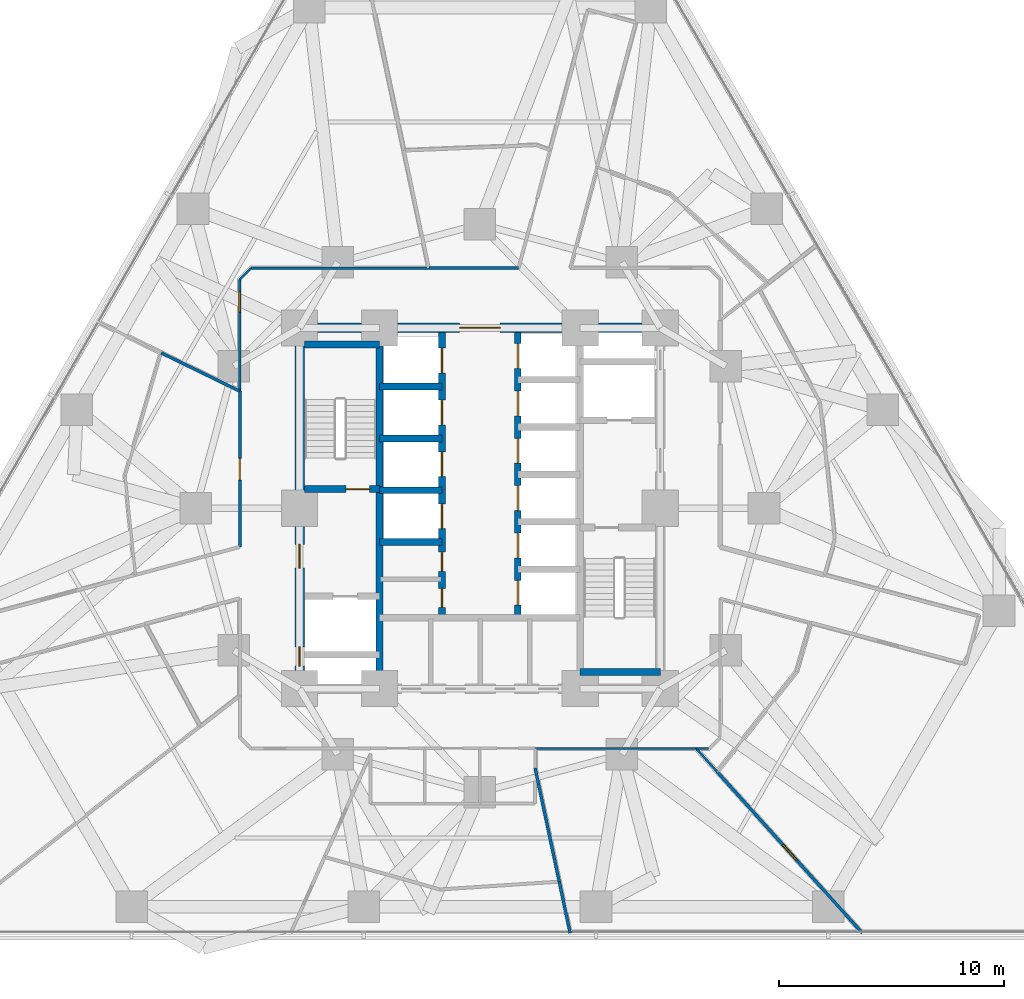
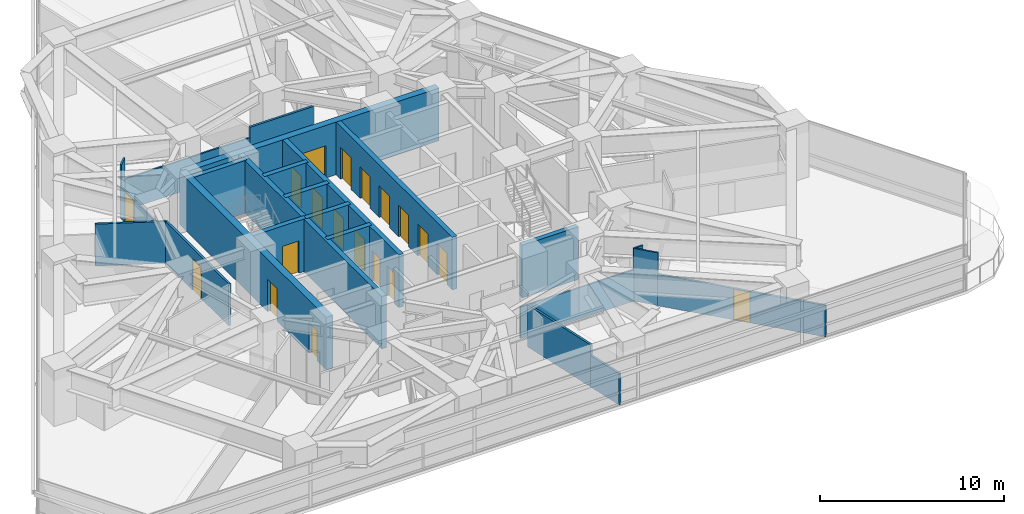
# One storey, part 9 of 15: 24 walls, 19 doors, 19 openings.
"""IFC4 building model written with IfcOpenShell, lengths in metres."""

from ifc_helpers import new_model, si_unit, direction, frame, frame_2d, origin, place, context, subcontext, project, spatial, rectangle, extrude, material, layer, layer_set, type_object, element, fill, save


model = new_model("IFC4")

# Units and contexts
model_context = context("Model", 3, precision=1e-05, world=origin(), true_north=direction((0.0, 1.0)))
body_context = subcontext(model_context, "Body", "Model", "MODEL_VIEW")
ifc_project = project(units=[si_unit("LENGTHUNIT", "METRE"), si_unit("AREAUNIT", "SQUARE_METRE"), si_unit("VOLUMEUNIT", "CUBIC_METRE"), si_unit("PLANEANGLEUNIT", "RADIAN"), si_unit("MASSUNIT", "GRAM", prefix="KILO")], contexts=[model_context])

# Site, building, storey
site_placement = place(None, origin())
site = spatial("IfcSite", under=ifc_project, at=site_placement, CompositionType="ELEMENT")
building_placement = place(site_placement, origin())
building = spatial("IfcBuilding", under=site, at=building_placement, Name="Terralouvre Media Tower", CompositionType="ELEMENT")
storey_placement = place(building_placement, frame((0.0, 0.0, 51.89990234375)))
storey = spatial("IfcBuildingStorey", under=building, at=storey_placement, Name="L12", CompositionType="ELEMENT", Elevation=51.89990234375)

# Wall
ifc_material_1 = material(Name="Concrete C50/60", Category="concrete")
ifc_layer_1 = layer(ifc_material_1, 0.300048828125, Name="Core Internal Shaft Wall CW-300")
ifc_layer_set_1 = layer_set([ifc_layer_1], Name="Concrete C50/60")
wall_type_1 = type_object("IfcWallType", Name="Core Internal Shaft Wall CW-300", PredefinedType="SHEAR", material=ifc_layer_set_1)
wall_1_placement = place(storey_placement, frame((-4.449951171875, -7.7900390625, 0.0), z_axis=(0.0, 0.0, 1.0), x_axis=(0.0, 1.0, 0.0)))
element("IfcWall", 1, at=wall_1_placement, inside=storey, type_object=wall_type_1, Name="L12 Core Shaft Wall SPW", PredefinedType="SHEAR", context=body_context, shape_type="SweptSolid", body=[
    extrude(rectangle(XDim=15.580078125, YDim=0.300048828125, at=frame_2d((7.7900390625, 0.0))), origin(), (0.0, 0.0, 1.0), 3.5),
])

# Wall, opening, door
wall_2_placement = place(storey_placement, frame((-7.7900390625, 0.85009765625, 0.0), z_axis=(0.0, 0.0, 1.0), x_axis=(1.0, 0.0, 0.0)))
wall_2 = element("IfcWall", 2, at=wall_2_placement, inside=storey, type_object=wall_type_1, Name="L12 Core Shaft Wall ST1D", PredefinedType="SHEAR", context=body_context, shape_type="SweptSolid", body=[
    extrude(rectangle(XDim=3.340087890625, YDim=0.300048828125, at=frame_2d((1.669921875, 0.0))), origin(), (0.0, 0.0, 1.0), 3.5),
])
opening_1_placement = place(wall_2_placement, frame((1.85009765625, 0.0, 0.0)))
opening_1 = element("IfcOpeningElement", 3, at=opening_1_placement, cuts=wall_2, Name="Opening FD-01-105X215", PredefinedType="OPENING", context=body_context, shape_type="SweptSolid", body=[
    extrude(rectangle(XDim=1.050048828125, YDim=2.14990234375, at=frame_2d((0.52490234375, 1.074951171875))), frame((0.0, 0.159912109375, 0.0), z_axis=(0.0, -1.0, 0.0), x_axis=(1.0, 0.0, 0.0)), (0.0, 0.0, 1.0), 0.320068359375),
])
ifc_material_2 = material(Name="Galvanised steel fire-resisting leaf", Category="steel")
door_type_1 = type_object("IfcDoorType", Name="Stair and Firefighting Lobby Fire Door FD-01 (1050x2150)", OperationType="NOTDEFINED", PredefinedType="DOOR", material=ifc_material_2)
door_1_placement = place(opening_1_placement, origin())
door_1 = element("IfcDoor", 4, at=door_1_placement, inside=storey, type_object=door_type_1, Name="L12 ST-01 Exit Stair Door", OperationType="SINGLE_SWING_LEFT", OverallHeight=2.14990234375, OverallWidth=1.050048828125, PredefinedType="DOOR", context=body_context, shape_type="SweptSolid", body=[
    extrude(rectangle(XDim=1.050048828125, YDim=2.14990234375, at=frame_2d((0.52490234375, 1.074951171875))), frame((0.0, 0.02490234375, 0.0), z_axis=(0.0, -1.0, 0.0), x_axis=(1.0, 0.0, 0.0)), (0.0, 0.0, 1.0), 0.050048828125),
])
fill(opening_1, door_1)

# Walls
wall_3_placement = place(storey_placement, frame((-7.7900390625, 7.260009765625, 0.0), z_axis=(0.0, 0.0, 1.0), x_axis=(1.0, 0.0, 0.0)))
element("IfcWall", 5, at=wall_3_placement, inside=storey, type_object=wall_type_1, Name="L12 Core Shaft Wall ST1F", PredefinedType="SHEAR", context=body_context, shape_type="SweptSolid", body=[
    extrude(rectangle(XDim=3.340087890625, YDim=0.300048828125, at=frame_2d((1.669921875, 0.0))), origin(), (0.0, 0.0, 1.0), 3.5),
])
wall_4_placement = place(storey_placement, frame((4.449951171875, -7.260009765625, 0.0), z_axis=(0.0, 0.0, 1.0), x_axis=(1.0, 0.0, 0.0)))
element("IfcWall", 6, at=wall_4_placement, inside=storey, type_object=wall_type_1, Name="L12 Core Shaft Wall ST2F", PredefinedType="SHEAR", context=body_context, shape_type="SweptSolid", body=[
    extrude(rectangle(XDim=3.550048828125, YDim=0.300048828125, at=frame_2d((1.77490234375, 0.0))), origin(), (0.0, 0.0, 1.0), 3.5),
])

# Wall, openings, doors
wall_5_placement = place(storey_placement, frame((-1.679931640625, -4.85009765625, 0.0), z_axis=(0.0, 0.0, 1.0), x_axis=(0.0, 1.0, 0.0)))
wall_5 = element("IfcWall", 7, at=wall_5_placement, inside=storey, type_object=wall_type_1, Name="L12 Core Shaft Wall LBW", PredefinedType="SHEAR", context=body_context, shape_type="SweptSolid", body=[
    extrude(rectangle(XDim=12.64013671875, YDim=0.300048828125, at=frame_2d((6.320068359375, 0.0))), origin(), (0.0, 0.0, 1.0), 3.5),
])
opening_2_placement = place(wall_5_placement, frame((3.949951171875, 0.0, 0.0)))
opening_2 = element("IfcOpeningElement", 8, at=opening_2_placement, cuts=wall_5, Name="Opening LD-PL", PredefinedType="OPENING", context=body_context, shape_type="SweptSolid", body=[
    extrude(rectangle(XDim=1.10009765625, YDim=2.10009765625, at=frame_2d((0.550048828125, 1.050048828125))), frame((0.0, 0.159912109375, 0.0), z_axis=(0.0, -1.0, 0.0), x_axis=(1.0, 0.0, 0.0)), (0.0, 0.0, 1.0), 0.320068359375),
])
opening_3_placement = place(wall_5_placement, frame((6.25, 0.0, 0.0)))
opening_3 = element("IfcOpeningElement", 9, at=opening_3_placement, cuts=wall_5, Name="Opening LD-PL", PredefinedType="OPENING", context=body_context, shape_type="SweptSolid", body=[
    extrude(rectangle(XDim=1.10009765625, YDim=2.10009765625, at=frame_2d((0.550048828125, 1.050048828125))), frame((0.0, 0.159912109375, 0.0), z_axis=(0.0, -1.0, 0.0), x_axis=(1.0, 0.0, 0.0)), (0.0, 0.0, 1.0), 0.320068359375),
])
opening_4_placement = place(wall_5_placement, frame((8.550048828125, 0.0, 0.0)))
opening_4 = element("IfcOpeningElement", 10, at=opening_4_placement, cuts=wall_5, Name="Opening LD-PL", PredefinedType="OPENING", context=body_context, shape_type="SweptSolid", body=[
    extrude(rectangle(XDim=1.10009765625, YDim=2.10009765625, at=frame_2d((0.550048828125, 1.050048828125))), frame((0.0, 0.159912109375, 0.0), z_axis=(0.0, -1.0, 0.0), x_axis=(1.0, 0.0, 0.0)), (0.0, 0.0, 1.0), 0.320068359375),
])
opening_5_placement = place(wall_5_placement, frame((10.85009765625, 0.0, 0.0)))
opening_5 = element("IfcOpeningElement", 11, at=opening_5_placement, cuts=wall_5, Name="Opening LD-PL", PredefinedType="OPENING", context=body_context, shape_type="SweptSolid", body=[
    extrude(rectangle(XDim=1.10009765625, YDim=2.10009765625, at=frame_2d((0.550048828125, 1.050048828125))), frame((0.0, 0.159912109375, 0.0), z_axis=(0.0, -1.0, 0.0), x_axis=(1.0, 0.0, 0.0)), (0.0, 0.0, 1.0), 0.320068359375),
])
opening_6_placement = place(wall_5_placement, frame((0.449951171875, 0.0, 0.0)))
opening_6 = element("IfcOpeningElement", 12, at=opening_6_placement, cuts=wall_5, Name="Opening TD-R1", PredefinedType="OPENING", context=body_context, shape_type="SweptSolid", body=[
    extrude(rectangle(XDim=0.85009765625, YDim=2.02001953125, at=frame_2d((0.425048828125, 1.010009765625))), frame((0.0, 0.159912109375, 0.0), z_axis=(0.0, -1.0, 0.0), x_axis=(1.0, 0.0, 0.0)), (0.0, 0.0, 1.0), 0.320068359375),
])
opening_7_placement = place(wall_5_placement, frame((2.050048828125, 0.0, 0.0)))
opening_7 = element("IfcOpeningElement", 13, at=opening_7_placement, cuts=wall_5, Name="Opening TD-R1", PredefinedType="OPENING", context=body_context, shape_type="SweptSolid", body=[
    extrude(rectangle(XDim=0.85009765625, YDim=2.02001953125, at=frame_2d((0.425048828125, 1.010009765625))), frame((0.0, 0.159912109375, 0.0), z_axis=(0.0, -1.0, 0.0), x_axis=(1.0, 0.0, 0.0)), (0.0, 0.0, 1.0), 0.320068359375),
])
ifc_material_3 = material(Name="Stainless steel 316 handrail and balustrade", Category="steel")
door_type_2 = type_object("IfcDoorType", Name="Passenger Lift Sliding Landing Door LD-PL", OperationType="SLIDING_TO_LEFT", PredefinedType="DOOR", material=ifc_material_3)
door_2_placement = place(opening_2_placement, origin())
door_2 = element("IfcDoor", 14, at=door_2_placement, inside=storey, type_object=door_type_2, Name="L12 Low-Rise Lift PL-L1 Landing Door", OperationType="SLIDING_TO_LEFT", OverallHeight=2.10009765625, OverallWidth=1.10009765625, PredefinedType="DOOR", context=body_context, shape_type="SweptSolid", body=[
    extrude(rectangle(XDim=1.10009765625, YDim=2.10009765625, at=frame_2d((0.550048828125, 1.050048828125))), frame((0.0, 0.02490234375, 0.0), z_axis=(0.0, -1.0, 0.0), x_axis=(1.0, 0.0, 0.0)), (0.0, 0.0, 1.0), 0.050048828125),
])
fill(opening_2, door_2)
door_3_placement = place(opening_3_placement, origin())
door_3 = element("IfcDoor", 15, at=door_3_placement, inside=storey, type_object=door_type_2, Name="L12 Low-Rise Lift PL-L2 Landing Door", OperationType="SLIDING_TO_LEFT", OverallHeight=2.10009765625, OverallWidth=1.10009765625, PredefinedType="DOOR", context=body_context, shape_type="SweptSolid", body=[
    extrude(rectangle(XDim=1.10009765625, YDim=2.10009765625, at=frame_2d((0.550048828125, 1.050048828125))), frame((0.0, 0.02490234375, 0.0), z_axis=(0.0, -1.0, 0.0), x_axis=(1.0, 0.0, 0.0)), (0.0, 0.0, 1.0), 0.050048828125),
])
fill(opening_3, door_3)
door_4_placement = place(opening_4_placement, origin())
door_4 = element("IfcDoor", 16, at=door_4_placement, inside=storey, type_object=door_type_2, Name="L12 Low-Rise Lift PL-L3 Landing Door", OperationType="SLIDING_TO_LEFT", OverallHeight=2.10009765625, OverallWidth=1.10009765625, PredefinedType="DOOR", context=body_context, shape_type="SweptSolid", body=[
    extrude(rectangle(XDim=1.10009765625, YDim=2.10009765625, at=frame_2d((0.550048828125, 1.050048828125))), frame((0.0, 0.02490234375, 0.0), z_axis=(0.0, -1.0, 0.0), x_axis=(1.0, 0.0, 0.0)), (0.0, 0.0, 1.0), 0.050048828125),
])
fill(opening_4, door_4)
door_5_placement = place(opening_5_placement, origin())
door_5 = element("IfcDoor", 17, at=door_5_placement, inside=storey, type_object=door_type_2, Name="L12 Low-Rise Lift PL-L4 Landing Door", OperationType="SLIDING_TO_LEFT", OverallHeight=2.10009765625, OverallWidth=1.10009765625, PredefinedType="DOOR", context=body_context, shape_type="SweptSolid", body=[
    extrude(rectangle(XDim=1.10009765625, YDim=2.10009765625, at=frame_2d((0.550048828125, 1.050048828125))), frame((0.0, 0.02490234375, 0.0), z_axis=(0.0, -1.0, 0.0), x_axis=(1.0, 0.0, 0.0)), (0.0, 0.0, 1.0), 0.050048828125),
])
fill(opening_5, door_5)
ifc_material_4 = material(Name="Galvanised steel fire-resisting leaf", Category="steel")
door_type_3 = type_object("IfcDoorType", Name="Riser Inspection Access Trapdoor TD-R1", OperationType="NOTDEFINED", PredefinedType="TRAPDOOR", material=ifc_material_4)
door_6_placement = place(opening_6_placement, origin())
door_6 = element("IfcDoor", 18, at=door_6_placement, inside=storey, type_object=door_type_3, Name="L12 Core Cleaners Closet Door", OperationType="SINGLE_SWING_LEFT", OverallHeight=2.02001953125, OverallWidth=0.85009765625, PredefinedType="TRAPDOOR", context=body_context, shape_type="SweptSolid", body=[
    extrude(rectangle(XDim=0.85009765625, YDim=2.02001953125, at=frame_2d((0.425048828125, 1.010009765625))), frame((0.0, 0.02490234375, 0.0), z_axis=(0.0, -1.0, 0.0), x_axis=(1.0, 0.0, 0.0)), (0.0, 0.0, 1.0), 0.050048828125),
])
fill(opening_6, door_6)
door_7_placement = place(opening_7_placement, origin())
door_7 = element("IfcDoor", 19, at=door_7_placement, inside=storey, type_object=door_type_3, Name="L12 Core Metering Closet Door", OperationType="SINGLE_SWING_RIGHT", OverallHeight=2.02001953125, OverallWidth=0.85009765625, PredefinedType="TRAPDOOR", context=body_context, shape_type="SweptSolid", body=[
    extrude(rectangle(XDim=0.85009765625, YDim=2.02001953125, at=frame_2d((0.425048828125, 1.010009765625))), frame((0.0, 0.02490234375, 0.0), z_axis=(0.0, -1.0, 0.0), x_axis=(1.0, 0.0, 0.0)), (0.0, 0.0, 1.0), 0.050048828125),
])
fill(opening_7, door_7)

wall_6_placement = place(storey_placement, frame((1.679931640625, -4.85009765625, 0.0), z_axis=(0.0, 0.0, 1.0), x_axis=(0.0, 1.0, 0.0)))
wall_6 = element("IfcWall", 20, at=wall_6_placement, inside=storey, type_object=wall_type_1, Name="L12 Core Shaft Wall LBE", PredefinedType="SHEAR", context=body_context, shape_type="SweptSolid", body=[
    extrude(rectangle(XDim=12.64013671875, YDim=0.300048828125, at=frame_2d((6.320068359375, 0.0))), origin(), (0.0, 0.0, 1.0), 3.5),
])
opening_8_placement = place(wall_6_placement, frame((0.550048828125, 0.0, 0.0)))
opening_8 = element("IfcOpeningElement", 21, at=opening_8_placement, cuts=wall_6, Name="Opening LD-PL", PredefinedType="OPENING", context=body_context, shape_type="SweptSolid", body=[
    extrude(rectangle(XDim=1.10009765625, YDim=2.10009765625, at=frame_2d((0.550048828125, 1.050048828125))), frame((0.0, 0.159912109375, 0.0), z_axis=(0.0, -1.0, 0.0), x_axis=(1.0, 0.0, 0.0)), (0.0, 0.0, 1.0), 0.320068359375),
])
opening_9_placement = place(wall_6_placement, frame((2.64990234375, 0.0, 0.0)))
opening_9 = element("IfcOpeningElement", 22, at=opening_9_placement, cuts=wall_6, Name="Opening LD-PL", PredefinedType="OPENING", context=body_context, shape_type="SweptSolid", body=[
    extrude(rectangle(XDim=1.10009765625, YDim=2.10009765625, at=frame_2d((0.550048828125, 1.050048828125))), frame((0.0, 0.159912109375, 0.0), z_axis=(0.0, -1.0, 0.0), x_axis=(1.0, 0.0, 0.0)), (0.0, 0.0, 1.0), 0.320068359375),
])
opening_10_placement = place(wall_6_placement, frame((4.75, 0.0, 0.0)))
opening_10 = element("IfcOpeningElement", 23, at=opening_10_placement, cuts=wall_6, Name="Opening LD-PL", PredefinedType="OPENING", context=body_context, shape_type="SweptSolid", body=[
    extrude(rectangle(XDim=1.10009765625, YDim=2.10009765625, at=frame_2d((0.550048828125, 1.050048828125))), frame((0.0, 0.159912109375, 0.0), z_axis=(0.0, -1.0, 0.0), x_axis=(1.0, 0.0, 0.0)), (0.0, 0.0, 1.0), 0.320068359375),
])
opening_11_placement = place(wall_6_placement, frame((6.85009765625, 0.0, 0.0)))
opening_11 = element("IfcOpeningElement", 24, at=opening_11_placement, cuts=wall_6, Name="Opening LD-PL", PredefinedType="OPENING", context=body_context, shape_type="SweptSolid", body=[
    extrude(rectangle(XDim=1.10009765625, YDim=2.10009765625, at=frame_2d((0.550048828125, 1.050048828125))), frame((0.0, 0.159912109375, 0.0), z_axis=(0.0, -1.0, 0.0), x_axis=(1.0, 0.0, 0.0)), (0.0, 0.0, 1.0), 0.320068359375),
])
opening_12_placement = place(wall_6_placement, frame((8.949951171875, 0.0, 0.0)))
opening_12 = element("IfcOpeningElement", 25, at=opening_12_placement, cuts=wall_6, Name="Opening LD-PL", PredefinedType="OPENING", context=body_context, shape_type="SweptSolid", body=[
    extrude(rectangle(XDim=1.10009765625, YDim=2.10009765625, at=frame_2d((0.550048828125, 1.050048828125))), frame((0.0, 0.159912109375, 0.0), z_axis=(0.0, -1.0, 0.0), x_axis=(1.0, 0.0, 0.0)), (0.0, 0.0, 1.0), 0.320068359375),
])
opening_13_placement = place(wall_6_placement, frame((11.050048828125, 0.0, 0.0)))
opening_13 = element("IfcOpeningElement", 26, at=opening_13_placement, cuts=wall_6, Name="Opening LD-PL", PredefinedType="OPENING", context=body_context, shape_type="SweptSolid", body=[
    extrude(rectangle(XDim=1.10009765625, YDim=2.10009765625, at=frame_2d((0.550048828125, 1.050048828125))), frame((0.0, 0.159912109375, 0.0), z_axis=(0.0, -1.0, 0.0), x_axis=(1.0, 0.0, 0.0)), (0.0, 0.0, 1.0), 0.320068359375),
])
door_8_placement = place(opening_8_placement, origin())
door_8 = element("IfcDoor", 27, at=door_8_placement, inside=storey, type_object=door_type_2, Name="L12 High-Rise Lift PL-H1 Landing Door", OperationType="SLIDING_TO_LEFT", OverallHeight=2.10009765625, OverallWidth=1.10009765625, PredefinedType="DOOR", context=body_context, shape_type="SweptSolid", body=[
    extrude(rectangle(XDim=1.10009765625, YDim=2.10009765625, at=frame_2d((0.550048828125, 1.050048828125))), frame((0.0, 0.02490234375, 0.0), z_axis=(0.0, -1.0, 0.0), x_axis=(1.0, 0.0, 0.0)), (0.0, 0.0, 1.0), 0.050048828125),
])
fill(opening_8, door_8)
door_9_placement = place(opening_9_placement, origin())
door_9 = element("IfcDoor", 28, at=door_9_placement, inside=storey, type_object=door_type_2, Name="L12 High-Rise Lift PL-H2 Landing Door", OperationType="SLIDING_TO_LEFT", OverallHeight=2.10009765625, OverallWidth=1.10009765625, PredefinedType="DOOR", context=body_context, shape_type="SweptSolid", body=[
    extrude(rectangle(XDim=1.10009765625, YDim=2.10009765625, at=frame_2d((0.550048828125, 1.050048828125))), frame((0.0, 0.02490234375, 0.0), z_axis=(0.0, -1.0, 0.0), x_axis=(1.0, 0.0, 0.0)), (0.0, 0.0, 1.0), 0.050048828125),
])
fill(opening_9, door_9)
door_10_placement = place(opening_10_placement, origin())
door_10 = element("IfcDoor", 29, at=door_10_placement, inside=storey, type_object=door_type_2, Name="L12 High-Rise Lift PL-H3 Landing Door", OperationType="SLIDING_TO_LEFT", OverallHeight=2.10009765625, OverallWidth=1.10009765625, PredefinedType="DOOR", context=body_context, shape_type="SweptSolid", body=[
    extrude(rectangle(XDim=1.10009765625, YDim=2.10009765625, at=frame_2d((0.550048828125, 1.050048828125))), frame((0.0, 0.02490234375, 0.0), z_axis=(0.0, -1.0, 0.0), x_axis=(1.0, 0.0, 0.0)), (0.0, 0.0, 1.0), 0.050048828125),
])
fill(opening_10, door_10)
door_11_placement = place(opening_11_placement, origin())
door_11 = element("IfcDoor", 30, at=door_11_placement, inside=storey, type_object=door_type_2, Name="L12 Mid-Rise Lift PL-M1 Landing Door", OperationType="SLIDING_TO_LEFT", OverallHeight=2.10009765625, OverallWidth=1.10009765625, PredefinedType="DOOR", context=body_context, shape_type="SweptSolid", body=[
    extrude(rectangle(XDim=1.10009765625, YDim=2.10009765625, at=frame_2d((0.550048828125, 1.050048828125))), frame((0.0, 0.02490234375, 0.0), z_axis=(0.0, -1.0, 0.0), x_axis=(1.0, 0.0, 0.0)), (0.0, 0.0, 1.0), 0.050048828125),
])
fill(opening_11, door_11)
door_12_placement = place(opening_12_placement, origin())
door_12 = element("IfcDoor", 31, at=door_12_placement, inside=storey, type_object=door_type_2, Name="L12 Mid-Rise Lift PL-M2 Landing Door", OperationType="SLIDING_TO_LEFT", OverallHeight=2.10009765625, OverallWidth=1.10009765625, PredefinedType="DOOR", context=body_context, shape_type="SweptSolid", body=[
    extrude(rectangle(XDim=1.10009765625, YDim=2.10009765625, at=frame_2d((0.550048828125, 1.050048828125))), frame((0.0, 0.02490234375, 0.0), z_axis=(0.0, -1.0, 0.0), x_axis=(1.0, 0.0, 0.0)), (0.0, 0.0, 1.0), 0.050048828125),
])
fill(opening_12, door_12)
door_13_placement = place(opening_13_placement, origin())
door_13 = element("IfcDoor", 32, at=door_13_placement, inside=storey, type_object=door_type_2, Name="L12 Mid-Rise Lift PL-M3 Landing Door", OperationType="SLIDING_TO_LEFT", OverallHeight=2.10009765625, OverallWidth=1.10009765625, PredefinedType="DOOR", context=body_context, shape_type="SweptSolid", body=[
    extrude(rectangle(XDim=1.10009765625, YDim=2.10009765625, at=frame_2d((0.550048828125, 1.050048828125))), frame((0.0, 0.02490234375, 0.0), z_axis=(0.0, -1.0, 0.0), x_axis=(1.0, 0.0, 0.0)), (0.0, 0.0, 1.0), 0.050048828125),
])
fill(opening_13, door_13)

# Walls
for number, where, z_axis, x_axis, name in (
    (33, (-4.449951171875, -1.5, 0.0), (0.0, 0.0, 1.0), (1.0, 0.0, 0.0), "L12 Core Shaft Wall PLLD0"),
    (34, (-4.449951171875, 0.800048828125, 0.0), (0.0, 0.0, 1.0), (1.0, 0.0, 0.0), "L12 Core Shaft Wall PLLD1"),
    (35, (-4.449951171875, 3.10009765625, 0.0), (0.0, 0.0, 1.0), (1.0, 0.0, 0.0), "L12 Core Shaft Wall PLLD2"),
    (36, (-4.449951171875, 5.39990234375, 0.0), (0.0, 0.0, 1.0), (1.0, 0.0, 0.0), "L12 Core Shaft Wall PLLD3"),
):
    element("IfcWall", number, at=place(storey_placement, frame(where, z_axis=z_axis, x_axis=x_axis)), inside=storey, type_object=wall_type_1, Name=name, PredefinedType="SHEAR", context=body_context, shape_type="SweptSolid", body=[
        extrude(rectangle(XDim=2.77001953125, YDim=0.300048828125, at=frame_2d((1.385009765625, 0.0))), origin(), (0.0, 0.0, 1.0), 3.5),
    ])

# Wall, openings, doors
ifc_material_5 = material(Name="Concrete C60/75", Category="concrete")
ifc_layer_2 = layer(ifc_material_5, 0.419921875, Name="Core Reinforced Concrete Shear Wall CW-420")
ifc_layer_set_2 = layer_set([ifc_layer_2], Name="Concrete C60/75")
wall_type_2 = type_object("IfcWallType", Name="Core Reinforced Concrete Shear Wall CW-420", PredefinedType="SHEAR", material=ifc_layer_set_2)
wall_7_placement = place(storey_placement, frame((-8.0, -8.0, 0.0), z_axis=(0.0, 0.0, 1.0), x_axis=(0.0, 1.0, 0.0)))
wall_7 = element("IfcWall", 37, at=wall_7_placement, inside=storey, type_object=wall_type_2, Name="L12 W Core Shear Wall", PredefinedType="SHEAR", context=body_context, shape_type="SweptSolid", body=[
    extrude(rectangle(XDim=16.0, YDim=0.419921875, at=frame_2d((8.0, 0.0))), origin(), (0.0, 0.0, 1.0), 3.5),
])
opening_14_placement = place(wall_7_placement, frame((1.001708984375, 0.0, 0.0)))
opening_14 = element("IfcOpeningElement", 38, at=opening_14_placement, cuts=wall_7, Name="Opening TD-R1", PredefinedType="OPENING", context=body_context, shape_type="SweptSolid", body=[
    extrude(rectangle(XDim=0.85009765625, YDim=2.02001953125, at=frame_2d((0.425048828125, 1.010009765625))), frame((0.0, 0.219970703125, 0.0), z_axis=(0.0, -1.0, 0.0), x_axis=(1.0, 0.0, 0.0)), (0.0, 0.0, 1.0), 0.43994140625),
])
opening_15_placement = place(wall_7_placement, frame((5.35009765625, 0.0, 0.0)))
opening_15 = element("IfcOpeningElement", 39, at=opening_15_placement, cuts=wall_7, Name="Opening FD-01-105X215", PredefinedType="OPENING", context=body_context, shape_type="SweptSolid", body=[
    extrude(rectangle(XDim=1.050048828125, YDim=2.14990234375, at=frame_2d((0.52490234375, 1.074951171875))), frame((0.0, 0.219970703125, 0.0), z_axis=(0.0, -1.0, 0.0), x_axis=(1.0, 0.0, 0.0)), (0.0, 0.0, 1.0), 0.43994140625),
])
door_14_placement = place(opening_14_placement, origin())
door_14 = element("IfcDoor", 40, at=door_14_placement, inside=storey, type_object=door_type_3, Name="L12 Wet Riser Access Trapdoor", OperationType="SINGLE_SWING_LEFT", OverallHeight=2.02001953125, OverallWidth=0.85009765625, PredefinedType="TRAPDOOR", context=body_context, shape_type="SweptSolid", body=[
    extrude(rectangle(XDim=0.85009765625, YDim=2.02001953125, at=frame_2d((0.425048828125, 1.010009765625))), frame((0.0, 0.02490234375, 0.0), z_axis=(0.0, -1.0, 0.0), x_axis=(1.0, 0.0, 0.0)), (0.0, 0.0, 1.0), 0.050048828125),
])
fill(opening_14, door_14)
door_15_placement = place(opening_15_placement, origin())
door_15 = element("IfcDoor", 41, at=door_15_placement, inside=storey, type_object=door_type_1, Name="L12 West Firefighting Lobby Entry Door", OperationType="SINGLE_SWING_RIGHT", OverallHeight=2.14990234375, OverallWidth=1.050048828125, PredefinedType="DOOR", context=body_context, shape_type="SweptSolid", body=[
    extrude(rectangle(XDim=1.050048828125, YDim=2.14990234375, at=frame_2d((0.52490234375, 1.074951171875))), frame((0.0, 0.02490234375, 0.0), z_axis=(0.0, -1.0, 0.0), x_axis=(1.0, 0.0, 0.0)), (0.0, 0.0, 1.0), 0.050048828125),
])
fill(opening_15, door_15)

# Wall, opening, door
wall_8_placement = place(storey_placement, frame((-8.0, 8.0, 0.0), z_axis=(0.0, 0.0, 1.0), x_axis=(1.0, 0.0, 0.0)))
wall_8 = element("IfcWall", 42, at=wall_8_placement, inside=storey, type_object=wall_type_2, Name="L12 N Core Shear Wall", PredefinedType="SHEAR", context=body_context, shape_type="SweptSolid", body=[
    extrude(rectangle(XDim=16.0, YDim=0.419921875, at=frame_2d((8.0, 0.0))), origin(), (0.0, 0.0, 1.0), 3.5),
])
opening_16_placement = place(wall_8_placement, frame((7.10009765625, 0.0, 0.0)))
opening_16 = element("IfcOpeningElement", 43, at=opening_16_placement, cuts=wall_8, Name="Opening FD-03", PredefinedType="OPENING", context=body_context, shape_type="SweptSolid", body=[
    extrude(rectangle(XDim=1.800048828125, YDim=2.14990234375, at=frame_2d((0.89990234375, 1.074951171875))), frame((0.0, 0.219970703125, 0.0), z_axis=(0.0, -1.0, 0.0), x_axis=(1.0, 0.0, 0.0)), (0.0, 0.0, 1.0), 0.43994140625),
])
ifc_material_6 = material(Name="Galvanised steel fire-resisting leaf", Category="steel")
door_type_4 = type_object("IfcDoorType", Name="Corridor Smoke-Control Double Door FD-03", OperationType="DOUBLE_DOOR_SINGLE_SWING", PredefinedType="DOOR", material=ifc_material_6)
door_16_placement = place(opening_16_placement, origin())
door_16 = element("IfcDoor", 44, at=door_16_placement, inside=storey, type_object=door_type_4, Name="L12 Central Lift Lobby Portal Door", OperationType="DOUBLE_DOOR_SINGLE_SWING", OverallHeight=2.14990234375, OverallWidth=1.800048828125, PredefinedType="DOOR", context=body_context, shape_type="SweptSolid", body=[
    extrude(rectangle(XDim=1.800048828125, YDim=2.14990234375, at=frame_2d((0.89990234375, 1.074951171875))), frame((0.0, 0.02490234375, 0.0), z_axis=(0.0, -1.0, 0.0), x_axis=(1.0, 0.0, 0.0)), (0.0, 0.0, 1.0), 0.050048828125),
])
fill(opening_16, door_16)

# Walls
ifc_material_7 = material(Name="Low-iron laminated double glazing with solar-control coating", Category="glass")
ifc_layer_3 = layer(ifc_material_7, 0.10009765625, Name="Demountable Glazed Office Partition PT-GL100")
ifc_layer_set_3 = layer_set([ifc_layer_3], Name="Low-iron laminated double glazing with solar-control coating")
wall_type_3 = type_object("IfcWallType", Name="Demountable Glazed Office Partition PT-GL100", PredefinedType="MOVABLE", material=ifc_layer_set_3)
wall_9_placement = place(storey_placement, frame((9.589111328125, -10.64990234375, 0.0), z_axis=(0.0, 0.0, 1.0), x_axis=(1.0, 0.0, 0.0)))
element("IfcWall", 45, at=wall_9_placement, inside=storey, type_object=wall_type_3, Name="L12 Interior Partition 005", PredefinedType="MOVABLE", context=body_context, shape_type="SweptSolid", body=[
    extrude(rectangle(XDim=0.560791015625, YDim=0.10009765625, at=frame_2d((0.2802734375, 0.0))), origin(), (0.0, 0.0, 1.0), 3.5),
])
wall_10_placement = place(storey_placement, frame((2.449951171875, -10.64990234375, 0.0), z_axis=(0.0, 0.0, 1.0), x_axis=(1.0, 0.0, 0.0)))
element("IfcWall", 46, at=wall_10_placement, inside=storey, type_object=wall_type_3, Name="L12 Interior Partition 032", PredefinedType="MOVABLE", context=body_context, shape_type="SweptSolid", body=[
    extrude(rectangle(XDim=7.13916015625, YDim=0.10009765625, at=frame_2d((3.569580078125, 0.0))), origin(), (0.0, 0.0, 1.0), 2.085205078125),
])
wall_11_placement = place(storey_placement, frame((-2.263916015625, 10.64990234375, 0.0), z_axis=(0.0, 0.0, 1.0), x_axis=(-1.0, 0.0, 0.0)))
element("IfcWall", 47, at=wall_11_placement, inside=storey, type_object=wall_type_3, Name="L12 Interior Partition 033", PredefinedType="MOVABLE", context=body_context, shape_type="SweptSolid", body=[
    extrude(rectangle(XDim=7.885986328125, YDim=0.10009765625, at=frame_2d((3.94287109375, 0.0))), origin(), (0.0, 0.0, 1.0), 2.085205078125),
])
wall_12_placement = place(storey_placement, frame((-10.14990234375, 10.64990234375, 0.0), z_axis=(0.0, 0.0, 1.0), x_axis=(-0.707106781187, -0.707106781187, 0.0)))
element("IfcWall", 48, at=wall_12_placement, inside=storey, type_object=wall_type_3, Name="L12 Interior Partition 034", PredefinedType="MOVABLE", context=body_context, shape_type="SweptSolid", body=[
    extrude(rectangle(XDim=0.70703125, YDim=0.10009765625, at=frame_2d((0.353515625, 0.0))), origin(), (0.0, 0.0, 1.0), 3.5),
])

# Wall, opening, door
wall_13_placement = place(storey_placement, frame((-10.64990234375, 10.14990234375, 0.0), z_axis=(0.0, 0.0, 1.0), x_axis=(0.0, -1.0, 0.0)))
wall_13 = element("IfcWall", 49, at=wall_13_placement, inside=storey, type_object=wall_type_3, Name="L12 Interior Partition 035", PredefinedType="MOVABLE", context=body_context, shape_type="SweptSolid", body=[
    extrude(rectangle(XDim=4.955810546875, YDim=0.10009765625, at=frame_2d((2.47802734375, 0.0))), origin(), (0.0, 0.0, 1.0), 2.085205078125),
])
opening_17_placement = place(wall_13_placement, frame((0.53125, 0.0, 0.0)))
opening_17 = element("IfcOpeningElement", 50, at=opening_17_placement, cuts=wall_13, Name="Opening ID-03-92X206", PredefinedType="OPENING", context=body_context, shape_type="SweptSolid", body=[
    extrude(rectangle(XDim=0.919921875, YDim=2.034912109375, at=frame_2d((0.4599609375, 1.017578125))), frame((0.0, 0.06005859375, 0.0), z_axis=(0.0, -1.0, 0.0), x_axis=(1.0, 0.0, 0.0)), (0.0, 0.0, 1.0), 0.1201171875),
])
ifc_material_8 = material(Name="Engineered hardwood acoustic timber leaf", Category="wood")
door_type_5 = type_object("IfcDoorType", Name="Accessible Restroom and Suite Door ID-03 (920x2065)", OperationType="NOTDEFINED", PredefinedType="DOOR", material=ifc_material_8)
door_17_placement = place(opening_17_placement, origin())
door_17 = element("IfcDoor", 51, at=door_17_placement, inside=storey, type_object=door_type_5, Name="L12 Broadcast Ethics Seminar Room 14 Door", OperationType="SINGLE_SWING_LEFT", OverallHeight=2.034912109375, OverallWidth=0.919921875, PredefinedType="DOOR", context=body_context, shape_type="SweptSolid", body=[
    extrude(rectangle(XDim=0.919921875, YDim=2.034912109375, at=frame_2d((0.4599609375, 1.017578125))), frame((0.0, 0.02490234375, 0.0), z_axis=(0.0, -1.0, 0.0), x_axis=(1.0, 0.0, 0.0)), (0.0, 0.0, 1.0), 0.050048828125),
])
fill(opening_17, door_17)

# Walls
wall_14_placement = place(storey_placement, frame((9.589111328125, -10.64990234375, 0.0), z_axis=(0.0, 0.0, 1.0), x_axis=(0.669100165698, -0.743172233243, 0.0)))
element("IfcWall", 52, at=wall_14_placement, inside=storey, type_object=wall_type_3, Name="L12 Interior Partition 042", PredefinedType="MOVABLE", context=body_context, shape_type="SweptSolid", body=[
    extrude(rectangle(XDim=1.394287109375, YDim=0.10009765625, at=frame_2d((0.697265625, 0.0))), origin(), (0.0, 0.0, 1.0), 3.5),
])
ifc_material_9 = material(Name="Fire-rated gypsum board drywall partition")
ifc_layer_4 = layer(ifc_material_9, 0.135009765625, Name="Newsroom Acoustic Partition PT-135")
ifc_layer_set_4 = layer_set([ifc_layer_4], Name="Fire-rated gypsum board drywall partition")
wall_type_4 = type_object("IfcWallType", Name="Newsroom Acoustic Partition PT-135", PredefinedType="PARTITIONING", material=ifc_layer_set_4)
wall_15_placement = place(storey_placement, frame((1.715087890625, 10.64990234375, 0.0), z_axis=(0.0, 0.0, 1.0), x_axis=(-1.0, 0.0, 0.0)))
element("IfcWall", 53, at=wall_15_placement, inside=storey, type_object=wall_type_4, Name="L12 Interior Partition 018", PredefinedType="PARTITIONING", context=body_context, shape_type="SweptSolid", body=[
    extrude(rectangle(XDim=3.97900390625, YDim=0.135009765625, at=frame_2d((1.989501953125, 0.0))), origin(), (0.0, 0.0, 1.0), 2.78515625),
])

# Wall, opening, door
wall_16_placement = place(storey_placement, frame((-10.64990234375, 5.194091796875, 0.0), z_axis=(0.0, 0.0, 1.0), x_axis=(0.0, -1.0, 0.0)))
wall_16 = element("IfcWall", 54, at=wall_16_placement, inside=storey, type_object=wall_type_4, Name="L12 Interior Partition 024", PredefinedType="PARTITIONING", context=body_context, shape_type="SweptSolid", body=[
    extrude(rectangle(XDim=6.9091796875, YDim=0.135009765625, at=frame_2d((3.45458984375, 0.0))), origin(), (0.0, 0.0, 1.0), 2.78515625),
])
opening_18_placement = place(wall_16_placement, frame((2.9794921875, 0.0, 0.0)))
opening_18 = element("IfcOpeningElement", 55, at=opening_18_placement, cuts=wall_16, Name="Opening ID-02-95X210", PredefinedType="OPENING", context=body_context, shape_type="SweptSolid", body=[
    extrude(rectangle(XDim=0.949951171875, YDim=2.10009765625, at=frame_2d((0.47509765625, 1.050048828125))), frame((0.0, 0.077392578125, 0.0), z_axis=(0.0, -1.0, 0.0), x_axis=(1.0, 0.0, 0.0)), (0.0, 0.0, 1.0), 0.155029296875),
])
ifc_material_10 = material(Name="Engineered hardwood acoustic timber leaf", Category="wood")
door_type_6 = type_object("IfcDoorType", Name="Office and Meeting Room Door ID-02 (950x2100)", OperationType="NOTDEFINED", PredefinedType="DOOR", material=ifc_material_10)
door_18_placement = place(opening_18_placement, origin())
door_18 = element("IfcDoor", 56, at=door_18_placement, inside=storey, type_object=door_type_6, Name="L12 Curriculum Archive Storage 9 Door", OperationType="SINGLE_SWING_RIGHT", OverallHeight=2.10009765625, OverallWidth=0.949951171875, PredefinedType="DOOR", context=body_context, shape_type="SweptSolid", body=[
    extrude(rectangle(XDim=0.949951171875, YDim=2.10009765625, at=frame_2d((0.47509765625, 1.050048828125))), frame((0.0, 0.02490234375, 0.0), z_axis=(0.0, -1.0, 0.0), x_axis=(1.0, 0.0, 0.0)), (0.0, 0.0, 1.0), 0.050048828125),
])
fill(opening_18, door_18)

wall_17_placement = place(storey_placement, frame((10.52197265625, -11.68603515625, 0.0), z_axis=(0.0, 0.0, 1.0), x_axis=(0.669132925935, -0.743142736915, 0.0)))
wall_17 = element("IfcWall", 57, at=wall_17_placement, inside=storey, type_object=wall_type_4, Name="L12 Interior Partition 052", PredefinedType="PARTITIONING", context=body_context, shape_type="SweptSolid", body=[
    extrude(rectangle(XDim=9.62255859375, YDim=0.135009765625, at=frame_2d((4.811279296875, 0.0))), origin(), (0.0, 0.0, 1.0), 2.085205078125),
])
opening_19_placement = place(wall_17_placement, frame((4.351318359375, 0.0, 0.0)))
opening_19 = element("IfcOpeningElement", 58, at=opening_19_placement, cuts=wall_17, Name="Opening ID-03-92X206", PredefinedType="OPENING", context=body_context, shape_type="SweptSolid", body=[
    extrude(rectangle(XDim=0.919921875, YDim=2.034912109375, at=frame_2d((0.4599609375, 1.017578125))), frame((0.0, 0.077392578125, 0.0), z_axis=(0.0, -1.0, 0.0), x_axis=(1.0, 0.0, 0.0)), (0.0, 0.0, 1.0), 0.155029296875),
])
door_19_placement = place(opening_19_placement, origin())
door_19 = element("IfcDoor", 59, at=door_19_placement, inside=storey, type_object=door_type_5, Name="L12 Journalism Training Classroom 13 Door", OperationType="SINGLE_SWING_RIGHT", OverallHeight=2.034912109375, OverallWidth=0.919921875, PredefinedType="DOOR", context=body_context, shape_type="SweptSolid", body=[
    extrude(rectangle(XDim=0.919921875, YDim=2.034912109375, at=frame_2d((0.4599609375, 1.017578125))), frame((0.0, 0.02490234375, 0.0), z_axis=(0.0, -1.0, 0.0), x_axis=(1.0, 0.0, 0.0)), (0.0, 0.0, 1.0), 0.050048828125),
])
fill(opening_19, door_19)

# Walls
wall_18_placement = place(storey_placement, frame((-10.64990234375, 5.194091796875, 0.0), z_axis=(0.0, 0.0, 1.0), x_axis=(-0.898781159743, 0.438397567159, 0.0)))
element("IfcWall", 60, at=wall_18_placement, inside=storey, type_object=wall_type_4, Name="L12 Interior Partition 058", PredefinedType="PARTITIONING", context=body_context, shape_type="SweptSolid", body=[
    extrude(rectangle(XDim=3.87548828125, YDim=0.135009765625, at=frame_2d((1.937744140625, 0.0))), origin(), (0.0, 0.0, 1.0), 2.78515625),
])
wall_19_placement = place(storey_placement, frame((4.00341796875, -18.8369140625, 0.0), z_axis=(0.0, 0.0, 1.0), x_axis=(-0.207680617925, 0.978196688268, 0.0)))
element("IfcWall", 61, at=wall_19_placement, inside=storey, type_object=wall_type_4, Name="L12 Interior Partition 066", PredefinedType="PARTITIONING", context=body_context, shape_type="SweptSolid", body=[
    extrude(rectangle(XDim=2.32763671875, YDim=0.135009765625, at=frame_2d((1.163818359375, 0.0))), origin(), (0.0, 0.0, 1.0), 2.085205078125),
])
wall_20_placement = place(storey_placement, frame((3.52001953125, -16.56005859375, 0.0), z_axis=(0.0, 0.0, 1.0), x_axis=(-0.20791548957, 0.978146793276, 0.0)))
element("IfcWall", 62, at=wall_20_placement, inside=storey, type_object=wall_type_4, Name="L12 Interior Partition 071", PredefinedType="PARTITIONING", context=body_context, shape_type="SweptSolid", body=[
    extrude(rectangle(XDim=5.146728515625, YDim=0.135009765625, at=frame_2d((2.5732421875, 0.0))), origin(), (0.0, 0.0, 1.0), 2.78515625),
])

save(model, "model.ifc")
